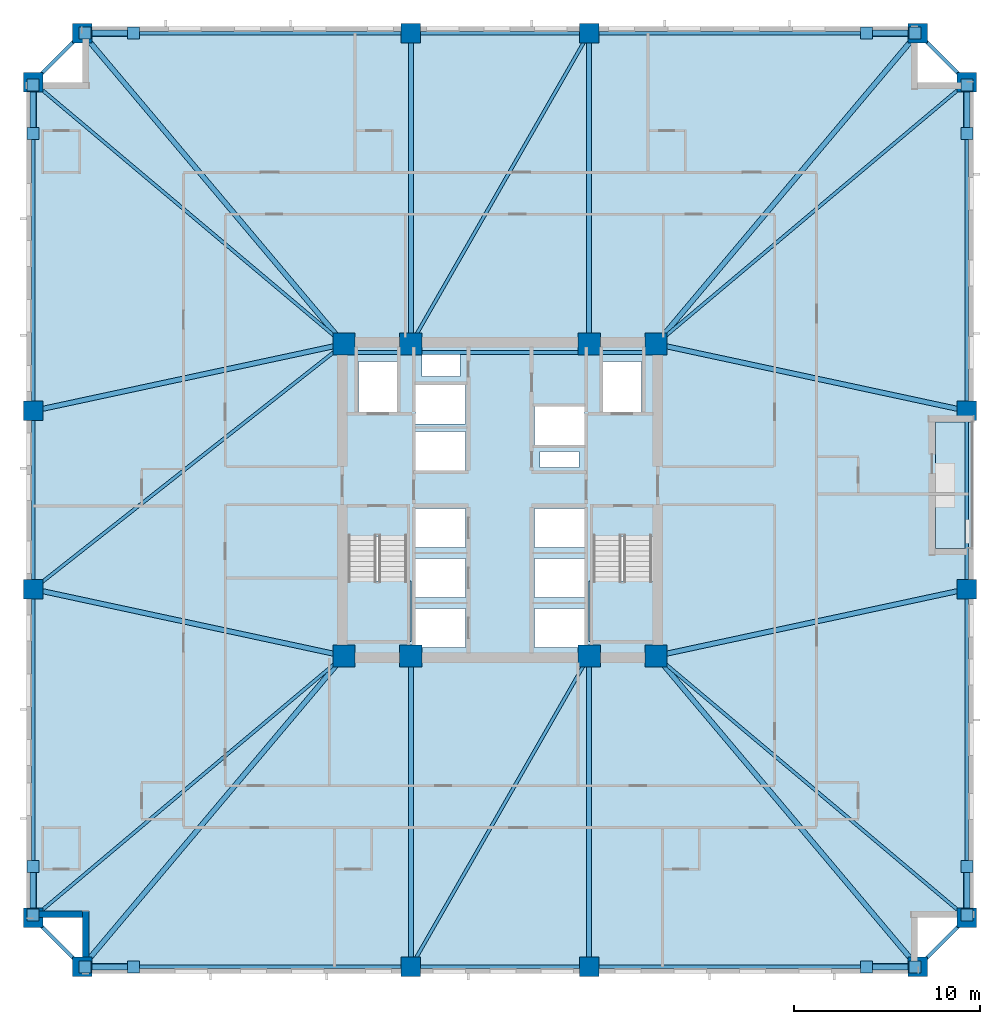
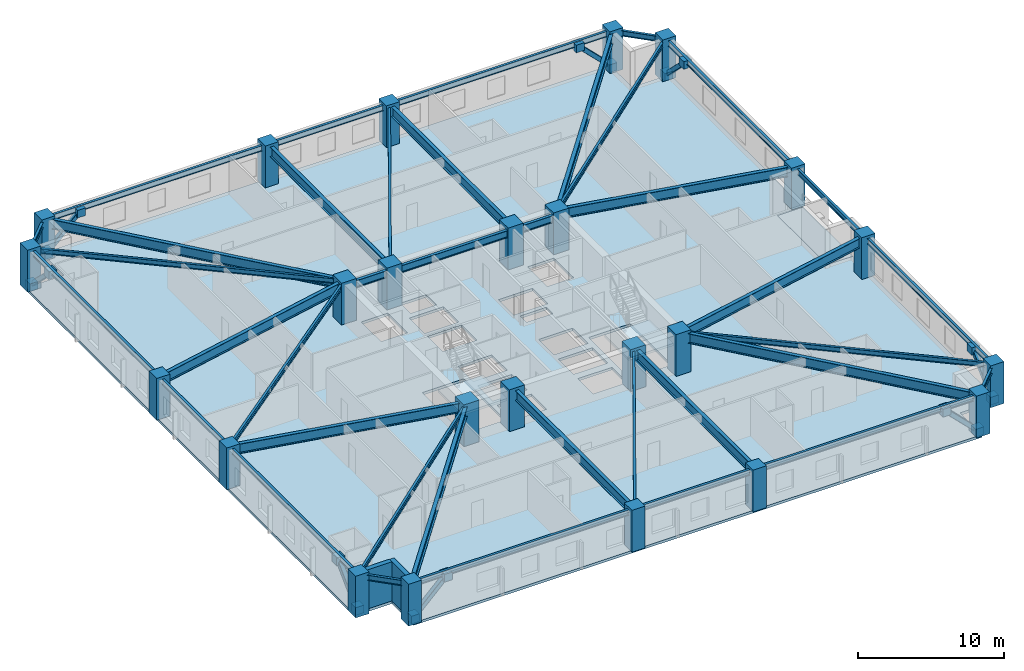
# One storey, part 1 of 11: 38 beams, 24 columns, 16 plates, 8 members, 4 slabs, 2 walls, 2 elements without a shape of their own.
"""IFC4 building model written with IfcOpenShell, lengths in metres."""

from ifc_helpers import new_model, si_unit, direction, frame, frame_2d, origin, origin_2d, place, context, subcontext, project, spatial, polyline, rectangle, hollow_rectangle, i_section, outline, extrude, material, layer, layer_set, material_profile, profile_set, type_object, element, aggregate, save


model = new_model("IFC4")

# Units and contexts
model_context = context("Model", 3, precision=1e-05, world=origin(), true_north=direction((0.0, 1.0)))
body_context = subcontext(model_context, "Body", "Model", "MODEL_VIEW")
ifc_project = project(units=[si_unit("LENGTHUNIT", "METRE"), si_unit("AREAUNIT", "SQUARE_METRE"), si_unit("VOLUMEUNIT", "CUBIC_METRE"), si_unit("PLANEANGLEUNIT", "RADIAN"), si_unit("MASSUNIT", "GRAM", prefix="KILO")], contexts=[model_context])

# Site, building, storey
site_placement = place(None, origin())
site = spatial("IfcSite", under=ifc_project, at=site_placement, CompositionType="ELEMENT")
building_placement = place(site_placement, origin())
building = spatial("IfcBuilding", under=site, at=building_placement, Name="Cairnveth Concourse Tower", CompositionType="ELEMENT")
storey_placement = place(building_placement, frame((0.0, 0.0, 72.5)))
storey = spatial("IfcBuildingStorey", under=building, at=storey_placement, Name="L19", CompositionType="ELEMENT", Elevation=72.5)

# Columns
ifc_material_1 = material(Name="Concrete N80 (80 MPa)", Category="concrete")
ifc_material_profile_1 = material_profile(ifc_material_1, rectangle(XDim=1.199951171875, YDim=1.199951171875, at=origin_2d()), Name="RC-COL-1200x1200")
ifc_profile_set_1 = profile_set([ifc_material_profile_1], Name="Concrete N80 (80 MPa)")
column_type_1 = type_object("IfcColumnType", Name="CORE COLUMN 1200X1200", PredefinedType="COLUMN", material=ifc_profile_set_1)
for number, where, z_axis, x_axis, name in (
    (1, (43.60009765625, 30.60009765625, 0.0), (0.0, 0.0, 1.0), (1.0, 0.0, 0.0), "Column CC1 L19"),
    (2, (47.199951171875, 30.60009765625, 0.0), (0.0, 0.0, 1.0), (1.0, 0.0, 0.0), "Column CC2 L19"),
    (3, (56.800048828125, 30.60009765625, 0.0), (0.0, 0.0, 1.0), (1.0, 0.0, 0.0), "Column CC3 L19"),
    (4, (60.39990234375, 30.60009765625, 0.0), (0.0, 0.0, 1.0), (1.0, 0.0, 0.0), "Column CC4 L19"),
    (5, (43.60009765625, 47.39990234375, 0.0), (0.0, 0.0, 1.0), (1.0, 0.0, 0.0), "Column CC5 L19"),
    (6, (47.199951171875, 47.39990234375, 0.0), (0.0, 0.0, 1.0), (1.0, 0.0, 0.0), "Column CC6 L19"),
    (7, (56.800048828125, 47.39990234375, 0.0), (0.0, 0.0, 1.0), (1.0, 0.0, 0.0), "Column CC7 L19"),
    (8, (60.39990234375, 47.39990234375, 0.0), (0.0, 0.0, 1.0), (1.0, 0.0, 0.0), "Column CC8 L19"),
):
    element("IfcColumn", number, at=place(storey_placement, frame(where, z_axis=z_axis, x_axis=x_axis)), inside=storey, type_object=column_type_1, Name=name, PredefinedType="COLUMN", context=body_context, shape_type="SweptSolid", body=[
        extrude(rectangle(XDim=1.199951171875, YDim=1.199951171875, at=origin_2d()), origin(), (0.0, 0.0, 1.0), 3.5),
    ])
ifc_material_2 = material(Name="Concrete N65 (65 MPa)", Category="concrete")
ifc_material_profile_2 = material_profile(ifc_material_2, rectangle(XDim=1.050048828125, YDim=1.050048828125, at=origin_2d()), Name="RC-COL-1050x1050")
ifc_profile_set_2 = profile_set([ifc_material_profile_2], Name="Concrete N65 (65 MPa)")
column_type_2 = type_object("IfcColumnType", Name="PERIMETER PIER COLUMN 1050X1050", PredefinedType="COLUMN", material=ifc_profile_set_2)
for number, where, z_axis, x_axis, name in (
    (9, (29.5, 13.85009765625, 0.0), (0.0, 0.0, 1.0), (1.0, 0.0, 0.0), "Column P-S1 L19"),
    (10, (47.199951171875, 13.85009765625, 0.0), (0.0, 0.0, 1.0), (1.0, 0.0, 0.0), "Column P-S2 L19"),
    (11, (56.800048828125, 13.85009765625, 0.0), (0.0, 0.0, 1.0), (1.0, 0.0, 0.0), "Column P-S3 L19"),
    (12, (74.5, 13.85009765625, 0.0), (0.0, 0.0, 1.0), (1.0, 0.0, 0.0), "Column P-S4 L19"),
    (13, (77.14990234375, 16.5, 0.0), (0.0, 0.0, 1.0), (0.0, 1.0, 0.0), "Column P-E1 L19"),
    (14, (77.14990234375, 34.199951171875, 0.0), (0.0, 0.0, 1.0), (0.0, 1.0, 0.0), "Column P-E2 L19"),
    (15, (77.14990234375, 43.800048828125, 0.0), (0.0, 0.0, 1.0), (0.0, 1.0, 0.0), "Column P-E3 L19"),
    (16, (77.14990234375, 61.5, 0.0), (0.0, 0.0, 1.0), (0.0, 1.0, 0.0), "Column P-E4 L19"),
    (17, (74.5, 64.14990234375, 0.0), (0.0, 0.0, 1.0), (1.0, 0.0, 0.0), "Column P-N1 L19"),
    (18, (56.800048828125, 64.14990234375, 0.0), (0.0, 0.0, 1.0), (1.0, 0.0, 0.0), "Column P-N2 L19"),
    (19, (47.199951171875, 64.14990234375, 0.0), (0.0, 0.0, 1.0), (1.0, 0.0, 0.0), "Column P-N3 L19"),
    (20, (29.5, 64.14990234375, 0.0), (0.0, 0.0, 1.0), (1.0, 0.0, 0.0), "Column P-N4 L19"),
    (21, (26.85009765625, 61.5, 0.0), (0.0, 0.0, 1.0), (0.0, 1.0, 0.0), "Column P-W1 L19"),
    (22, (26.85009765625, 43.800048828125, 0.0), (0.0, 0.0, 1.0), (0.0, 1.0, 0.0), "Column P-W2 L19"),
    (23, (26.85009765625, 34.199951171875, 0.0), (0.0, 0.0, 1.0), (0.0, 1.0, 0.0), "Column P-W3 L19"),
    (24, (26.85009765625, 16.5, 0.0), (0.0, 0.0, 1.0), (0.0, 1.0, 0.0), "Column P-W4 L19"),
):
    element("IfcColumn", number, at=place(storey_placement, frame(where, z_axis=z_axis, x_axis=x_axis)), inside=storey, type_object=column_type_2, Name=name, PredefinedType="COLUMN", context=body_context, shape_type="SweptSolid", body=[
        extrude(rectangle(XDim=1.050048828125, YDim=1.050048828125, at=origin_2d()), origin(), (0.0, 0.0, 1.0), 3.5),
    ])

# Beams
ifc_material_3 = material(Name="Steel Grade 350", Category="steel")
ifc_material_profile_3 = material_profile(ifc_material_3, i_section(OverallWidth=0.22802734375, OverallDepth=0.60693359375, WebThickness=0.01123046875, FlangeThickness=0.017333984375, FilletRadius=0.013916015625, at=origin_2d()), Name="610UB113")
ifc_profile_set_3 = profile_set([ifc_material_profile_3], Name="Steel Grade 350")
beam_type_1 = type_object("IfcBeamType", Name="CORE TIE BEAM 610UB113", PredefinedType="T_BEAM", material=ifc_profile_set_3)
for number, where, z_axis, x_axis, name in (
    (25, (43.60009765625, 46.949951171875, 2.9765625), (1.0, 0.0, 0.0), (0.0, 1.0, 0.0), "Beam CT-N1 L19"),
    (26, (56.800048828125, 46.949951171875, 2.9765625), (1.0, 0.0, 0.0), (0.0, 1.0, 0.0), "Beam CT-N3 L19"),
):
    element("IfcBeam", number, at=place(storey_placement, frame(where, z_axis=z_axis, x_axis=x_axis)), inside=storey, type_object=beam_type_1, Name=name, PredefinedType="T_BEAM", context=body_context, shape_type="SweptSolid", body=[
        extrude(i_section(OverallWidth=0.22802734375, OverallDepth=0.60693359375, WebThickness=0.01123046875, FlangeThickness=0.017333984375, FilletRadius=0.013916015625, at=origin_2d()), origin(), (0.0, 0.0, 1.0), 3.599853515625),
    ])
beam_1_placement = place(storey_placement, frame((47.199951171875, 46.949951171875, 2.9765625), z_axis=(1.0, 0.0, 0.0), x_axis=(0.0, 1.0, 0.0)))
element("IfcBeam", 27, at=beam_1_placement, inside=storey, type_object=beam_type_1, Name="Beam CT-N2 L19", PredefinedType="T_BEAM", context=body_context, shape_type="SweptSolid", body=[
    extrude(i_section(OverallWidth=0.22802734375, OverallDepth=0.60693359375, WebThickness=0.01123046875, FlangeThickness=0.017333984375, FilletRadius=0.013916015625, at=origin_2d()), origin(), (0.0, 0.0, 1.0), 9.60009765625),
])
ifc_material_profile_4 = material_profile(ifc_material_3, i_section(OverallWidth=0.177978515625, OverallDepth=0.406005859375, WebThickness=0.0078125, FlangeThickness=0.0126953125, FilletRadius=0.010986328125, at=origin_2d()), Name="410UB59.7")
ifc_profile_set_4 = profile_set([ifc_material_profile_4], Name="Steel Grade 350")
beam_type_2 = type_object("IfcBeamType", Name="ZONE 1 FLOOR JOIST 410UB59.7", PredefinedType="JOIST", material=ifc_profile_set_4)
for number, where, z_axis, x_axis, name in (
    (28, (26.85009765625, 16.5, 3.076904296875), (0.765027427674, 0.643997697905, 0.0), (-0.643997697905, 0.765027427674, 0.0), "Beam FJ-CSW2 L19"),
    (29, (77.14990234375, 16.5, 3.076904296875), (-0.765027427674, 0.643997697905, 0.0), (-0.643997697905, -0.765027427674, 0.0), "Beam FJ-CSE2 L19"),
    (30, (77.14990234375, 61.5, 3.076904296875), (-0.765027427674, -0.643997697905, 0.0), (0.643997697905, -0.765027427674, 0.0), "Beam FJ-CNE2 L19"),
    (31, (26.85009765625, 61.5, 3.076904296875), (0.765027427674, -0.643997697905, 0.0), (0.643997697905, 0.765027427674, 0.0), "Beam FJ-CNW2 L19"),
):
    element("IfcBeam", number, at=place(storey_placement, frame(where, z_axis=z_axis, x_axis=x_axis)), inside=storey, type_object=beam_type_2, Name=name, PredefinedType="JOIST", context=body_context, shape_type="SweptSolid", body=[
        extrude(i_section(OverallWidth=0.177978515625, OverallDepth=0.406005859375, WebThickness=0.0078125, FlangeThickness=0.0126953125, FilletRadius=0.010986328125, at=origin_2d()), origin(), (0.0, 0.0, 1.0), 21.89453125),
    ])
for number, where, z_axis, x_axis, name in (
    (32, (47.199951171875, 13.85009765625, 3.076904296875), (0.497257970706, 0.86760273776, 0.0), (-0.86760273776, 0.497257970706, 0.0), "Beam FJ-S-M1 L19"),
    (33, (47.199951171875, 47.39990234375, 3.076904296875), (0.497257970706, 0.86760273776, 0.0), (-0.86760273776, 0.497257970706, 0.0), "Beam FJ-N-M1 L19"),
):
    element("IfcBeam", number, at=place(storey_placement, frame(where, z_axis=z_axis, x_axis=x_axis)), inside=storey, type_object=beam_type_2, Name=name, PredefinedType="JOIST", context=body_context, shape_type="SweptSolid", body=[
        extrude(i_section(OverallWidth=0.177978515625, OverallDepth=0.406005859375, WebThickness=0.0078125, FlangeThickness=0.0126953125, FilletRadius=0.010986328125, at=origin_2d()), origin(), (0.0, 0.0, 1.0), 19.30615234375),
    ])
beam_2_placement = place(storey_placement, frame((26.85009765625, 34.199951171875, 3.076904296875), z_axis=(0.785423705995, 0.618958481694, 0.0), x_axis=(-0.618958481694, 0.785423705995, 0.0)))
element("IfcBeam", 34, at=beam_2_placement, inside=storey, type_object=beam_type_2, Name="Beam FJ-W-M1 L19", PredefinedType="JOIST", context=body_context, shape_type="SweptSolid", body=[
    extrude(i_section(OverallWidth=0.177978515625, OverallDepth=0.406005859375, WebThickness=0.0078125, FlangeThickness=0.0126953125, FilletRadius=0.010986328125, at=origin_2d()), origin(), (0.0, 0.0, 1.0), 21.326171875),
])

# Members
ifc_material_4 = material(Name="Steel C350L0 (350 MPa)", Category="steel")
ifc_material_profile_5 = material_profile(ifc_material_4, hollow_rectangle(XDim=0.35009765625, YDim=0.35009765625, WallThickness=0.01611328125, InnerFilletRadius=0.01611328125, OuterFilletRadius=0.031982421875, at=origin_2d()), Name="350x350x16.0SHS")
ifc_profile_set_5 = profile_set([ifc_material_profile_5], Name="Steel C350L0 (350 MPa)")
member_type = type_object("IfcMemberType", Name="ZONE 1 PIER BRACE 350X350X16SHS", PredefinedType="BRACE", material=ifc_profile_set_5)
for number, where, z_axis, x_axis, name in (
    (35, (29.64990234375, 13.85009765625, 0.25), (0.709834195787, 0.0, 0.704368805735), (0.0, 1.0, 0.0), "Structural Brace PB-S1 L19"),
    (36, (74.35009765625, 13.85009765625, 0.25), (-0.709834195787, 0.0, 0.704368805735), (0.0, -1.0, 0.0), "Structural Brace PB-S2 L19"),
    (37, (29.64990234375, 64.14990234375, 0.25), (0.709834195787, 0.0, 0.704368805735), (0.0, 1.0, 0.0), "Structural Brace PB-N1 L19"),
    (38, (74.35009765625, 64.14990234375, 0.25), (-0.709834195787, 0.0, 0.704368805735), (0.0, -1.0, 0.0), "Structural Brace PB-N2 L19"),
    (39, (26.85009765625, 16.64990234375, 0.25), (0.0, 0.709834195787, 0.704368805735), (-1.0, 0.0, 0.0), "Structural Brace PB-W1 L19"),
    (40, (26.85009765625, 61.35009765625, 0.25), (0.0, -0.709834195787, 0.704368805735), (1.0, 0.0, 0.0), "Structural Brace PB-W2 L19"),
    (41, (77.14990234375, 16.64990234375, 0.25), (0.0, 0.709834195787, 0.704368805735), (-1.0, 0.0, 0.0), "Structural Brace PB-E1 L19"),
    (42, (77.14990234375, 61.35009765625, 0.25), (0.0, -0.709834195787, 0.704368805735), (1.0, 0.0, 0.0), "Structural Brace PB-E2 L19"),
):
    element("IfcMember", number, at=place(storey_placement, frame(where, z_axis=z_axis, x_axis=x_axis)), inside=storey, type_object=member_type, Name=name, PredefinedType="BRACE", context=body_context, shape_type="SweptSolid", body=[
        extrude(hollow_rectangle(XDim=0.35009765625, YDim=0.35009765625, WallThickness=0.01611328125, InnerFilletRadius=0.01611328125, OuterFilletRadius=0.031982421875, at=origin_2d()), origin(), (0.0, 0.0, 1.0), 3.6630859375),
    ])

# Beams
ifc_material_profile_6 = material_profile(ifc_material_3, i_section(OverallWidth=0.27490234375, OverallDepth=0.81591796875, WebThickness=0.011962890625, FlangeThickness=0.028076171875, at=origin_2d()), Name="800WB192")
ifc_profile_set_6 = profile_set([ifc_material_profile_6], Name="Steel Grade 350")
beam_type_3 = type_object("IfcBeamType", Name="ZONE 1 RADIAL GIRDER 800WB192", PredefinedType="BEAM", material=ifc_profile_set_6)
for number, where, z_axis, x_axis, name in (
    (43, (47.199951171875, 13.85009765625, 2.8720703125), (0.0, 1.0, 0.0), (-1.0, 0.0, 0.0), "Beam RG-S1 L19"),
    (44, (56.800048828125, 13.85009765625, 2.8720703125), (0.0, 1.0, 0.0), (-1.0, 0.0, 0.0), "Beam RG-S2 L19"),
    (45, (47.199951171875, 47.39990234375, 2.8720703125), (0.0, 1.0, 0.0), (-1.0, 0.0, 0.0), "Beam RG-N1 L19"),
    (46, (56.800048828125, 47.39990234375, 2.8720703125), (0.0, 1.0, 0.0), (-1.0, 0.0, 0.0), "Beam RG-N2 L19"),
):
    element("IfcBeam", number, at=place(storey_placement, frame(where, z_axis=z_axis, x_axis=x_axis)), inside=storey, type_object=beam_type_3, Name=name, PredefinedType="BEAM", context=body_context, shape_type="SweptSolid", body=[
        extrude(i_section(OverallWidth=0.27490234375, OverallDepth=0.81591796875, WebThickness=0.011962890625, FlangeThickness=0.028076171875, at=origin_2d()), origin(), (0.0, 0.0, 1.0), 16.75),
    ])
for number, where, z_axis, x_axis, name in (
    (47, (26.85009765625, 34.199951171875, 2.8720703125), (0.977675861524, -0.210118799239, 0.0), (0.210118799239, 0.977675861524, 0.0), "Beam RG-W1 L19"),
    (48, (26.85009765625, 43.800048828125, 2.8720703125), (0.977675861524, 0.210118799239, 0.0), (-0.210118799239, 0.977675861524, 0.0), "Beam RG-W2 L19"),
    (49, (60.39990234375, 30.60009765625, 2.8720703125), (0.977675861524, 0.210118799239, 0.0), (-0.210118799239, 0.977675861524, 0.0), "Beam RG-E1 L19"),
    (50, (60.39990234375, 47.39990234375, 2.8720703125), (0.977675861524, -0.210118799239, 0.0), (0.210118799239, 0.977675861524, 0.0), "Beam RG-E2 L19"),
):
    element("IfcBeam", number, at=place(storey_placement, frame(where, z_axis=z_axis, x_axis=x_axis)), inside=storey, type_object=beam_type_3, Name=name, PredefinedType="BEAM", context=body_context, shape_type="SweptSolid", body=[
        extrude(i_section(OverallWidth=0.27490234375, OverallDepth=0.81591796875, WebThickness=0.011962890625, FlangeThickness=0.028076171875, at=origin_2d()), origin(), (0.0, 0.0, 1.0), 17.132568359375),
    ])
for number, where, z_axis, x_axis, name in (
    (51, (29.5, 13.85009765625, 2.8720703125), (0.643997697905, 0.765027427674, 0.0), (-0.765027427674, 0.643997697905, 0.0), "Beam RG-CSW L19"),
    (52, (74.5, 13.85009765625, 2.8720703125), (-0.643997697905, 0.765027427674, 0.0), (-0.765027427674, -0.643997697905, 0.0), "Beam RG-CSE L19"),
    (53, (74.5, 64.14990234375, 2.8720703125), (-0.643997697905, -0.765027427674, 0.0), (0.765027427674, -0.643997697905, 0.0), "Beam RG-CNE L19"),
    (54, (29.5, 64.14990234375, 2.8720703125), (0.643997697905, -0.765027427674, 0.0), (0.765027427674, 0.643997697905, 0.0), "Beam RG-CNW L19"),
):
    element("IfcBeam", number, at=place(storey_placement, frame(where, z_axis=z_axis, x_axis=x_axis)), inside=storey, type_object=beam_type_3, Name=name, PredefinedType="BEAM", context=body_context, shape_type="SweptSolid", body=[
        extrude(i_section(OverallWidth=0.27490234375, OverallDepth=0.81591796875, WebThickness=0.011962890625, FlangeThickness=0.028076171875, at=origin_2d()), origin(), (0.0, 0.0, 1.0), 21.89453125),
    ])
ifc_material_profile_7 = material_profile(ifc_material_3, i_section(OverallWidth=0.19091796875, OverallDepth=0.4599609375, WebThickness=0.010009765625, FlangeThickness=0.01611328125, FilletRadius=0.010986328125, at=origin_2d()), Name="460UB82.1")
ifc_profile_set_7 = profile_set([ifc_material_profile_7], Name="Steel Grade 350")
beam_type_4 = type_object("IfcBeamType", Name="ZONE 1 SPANDREL BEAM 460UB82.1", PredefinedType="SPANDREL", material=ifc_profile_set_7)
beam_3_placement = place(storey_placement, frame((29.5, 13.85009765625, 3.050048828125), z_axis=(1.0, 0.0, 0.0), x_axis=(0.0, 1.0, 0.0)))
element("IfcBeam", 55, at=beam_3_placement, inside=storey, type_object=beam_type_4, Name="Beam SP-S1 L19", PredefinedType="SPANDREL", context=body_context, shape_type="SweptSolid", body=[
    extrude(i_section(OverallWidth=0.19091796875, OverallDepth=0.4599609375, WebThickness=0.010009765625, FlangeThickness=0.01611328125, FilletRadius=0.010986328125, at=origin_2d()), origin(), (0.0, 0.0, 1.0), 17.699951171875),
])
beam_4_placement = place(storey_placement, frame((47.199951171875, 13.85009765625, 3.050048828125), z_axis=(1.0, 0.0, 0.0), x_axis=(0.0, 1.0, 0.0)))
element("IfcBeam", 56, at=beam_4_placement, inside=storey, type_object=beam_type_4, Name="Beam SP-S2 L19", PredefinedType="SPANDREL", context=body_context, shape_type="SweptSolid", body=[
    extrude(i_section(OverallWidth=0.19091796875, OverallDepth=0.4599609375, WebThickness=0.010009765625, FlangeThickness=0.01611328125, FilletRadius=0.010986328125, at=origin_2d()), origin(), (0.0, 0.0, 1.0), 9.60009765625),
])
for number, where, z_axis, x_axis, name in (
    (57, (56.800048828125, 13.85009765625, 3.050048828125), (1.0, 0.0, 0.0), (0.0, 1.0, 0.0), "Beam SP-S3 L19"),
    (58, (29.5, 64.14990234375, 3.050048828125), (1.0, 0.0, 0.0), (0.0, 1.0, 0.0), "Beam SP-N1 L19"),
):
    element("IfcBeam", number, at=place(storey_placement, frame(where, z_axis=z_axis, x_axis=x_axis)), inside=storey, type_object=beam_type_4, Name=name, PredefinedType="SPANDREL", context=body_context, shape_type="SweptSolid", body=[
        extrude(i_section(OverallWidth=0.19091796875, OverallDepth=0.4599609375, WebThickness=0.010009765625, FlangeThickness=0.01611328125, FilletRadius=0.010986328125, at=origin_2d()), origin(), (0.0, 0.0, 1.0), 17.699951171875),
    ])
beam_5_placement = place(storey_placement, frame((47.199951171875, 64.14990234375, 3.050048828125), z_axis=(1.0, 0.0, 0.0), x_axis=(0.0, 1.0, 0.0)))
element("IfcBeam", 59, at=beam_5_placement, inside=storey, type_object=beam_type_4, Name="Beam SP-N2 L19", PredefinedType="SPANDREL", context=body_context, shape_type="SweptSolid", body=[
    extrude(i_section(OverallWidth=0.19091796875, OverallDepth=0.4599609375, WebThickness=0.010009765625, FlangeThickness=0.01611328125, FilletRadius=0.010986328125, at=origin_2d()), origin(), (0.0, 0.0, 1.0), 9.60009765625),
])
for number, where, z_axis, x_axis, name in (
    (60, (56.800048828125, 64.14990234375, 3.050048828125), (1.0, 0.0, 0.0), (0.0, 1.0, 0.0), "Beam SP-N3 L19"),
    (61, (26.85009765625, 16.5, 3.050048828125), (0.0, 1.0, 0.0), (-1.0, 0.0, 0.0), "Beam SP-W1 L19"),
):
    element("IfcBeam", number, at=place(storey_placement, frame(where, z_axis=z_axis, x_axis=x_axis)), inside=storey, type_object=beam_type_4, Name=name, PredefinedType="SPANDREL", context=body_context, shape_type="SweptSolid", body=[
        extrude(i_section(OverallWidth=0.19091796875, OverallDepth=0.4599609375, WebThickness=0.010009765625, FlangeThickness=0.01611328125, FilletRadius=0.010986328125, at=origin_2d()), origin(), (0.0, 0.0, 1.0), 17.699951171875),
    ])
beam_6_placement = place(storey_placement, frame((26.85009765625, 34.199951171875, 3.050048828125), z_axis=(0.0, 1.0, 0.0), x_axis=(-1.0, 0.0, 0.0)))
element("IfcBeam", 62, at=beam_6_placement, inside=storey, type_object=beam_type_4, Name="Beam SP-W2 L19", PredefinedType="SPANDREL", context=body_context, shape_type="SweptSolid", body=[
    extrude(i_section(OverallWidth=0.19091796875, OverallDepth=0.4599609375, WebThickness=0.010009765625, FlangeThickness=0.01611328125, FilletRadius=0.010986328125, at=origin_2d()), origin(), (0.0, 0.0, 1.0), 9.60009765625),
])
for number, where, z_axis, x_axis, name in (
    (63, (26.85009765625, 43.800048828125, 3.050048828125), (0.0, 1.0, 0.0), (-1.0, 0.0, 0.0), "Beam SP-W3 L19"),
    (64, (77.14990234375, 16.5, 3.050048828125), (0.0, 1.0, 0.0), (-1.0, 0.0, 0.0), "Beam SP-E1 L19"),
):
    element("IfcBeam", number, at=place(storey_placement, frame(where, z_axis=z_axis, x_axis=x_axis)), inside=storey, type_object=beam_type_4, Name=name, PredefinedType="SPANDREL", context=body_context, shape_type="SweptSolid", body=[
        extrude(i_section(OverallWidth=0.19091796875, OverallDepth=0.4599609375, WebThickness=0.010009765625, FlangeThickness=0.01611328125, FilletRadius=0.010986328125, at=origin_2d()), origin(), (0.0, 0.0, 1.0), 17.699951171875),
    ])
beam_7_placement = place(storey_placement, frame((77.14990234375, 34.199951171875, 3.050048828125), z_axis=(0.0, 1.0, 0.0), x_axis=(-1.0, 0.0, 0.0)))
element("IfcBeam", 65, at=beam_7_placement, inside=storey, type_object=beam_type_4, Name="Beam SP-E2 L19", PredefinedType="SPANDREL", context=body_context, shape_type="SweptSolid", body=[
    extrude(i_section(OverallWidth=0.19091796875, OverallDepth=0.4599609375, WebThickness=0.010009765625, FlangeThickness=0.01611328125, FilletRadius=0.010986328125, at=origin_2d()), origin(), (0.0, 0.0, 1.0), 9.60009765625),
])
beam_8_placement = place(storey_placement, frame((77.14990234375, 43.800048828125, 3.050048828125), z_axis=(0.0, 1.0, 0.0), x_axis=(-1.0, 0.0, 0.0)))
element("IfcBeam", 66, at=beam_8_placement, inside=storey, type_object=beam_type_4, Name="Beam SP-E3 L19", PredefinedType="SPANDREL", context=body_context, shape_type="SweptSolid", body=[
    extrude(i_section(OverallWidth=0.19091796875, OverallDepth=0.4599609375, WebThickness=0.010009765625, FlangeThickness=0.01611328125, FilletRadius=0.010986328125, at=origin_2d()), origin(), (0.0, 0.0, 1.0), 17.699951171875),
])
for number, where, z_axis, x_axis, name in (
    (67, (26.85009765625, 16.5, 3.050048828125), (0.707106781187, -0.707106781187, 0.0), (0.707106781187, 0.707106781187, 0.0), "Beam SP-SW L19"),
    (68, (74.5, 13.85009765625, 3.050048828125), (0.707106781187, 0.707106781187, 0.0), (-0.707106781187, 0.707106781187, 0.0), "Beam SP-SE L19"),
    (69, (74.5, 64.14990234375, 3.050048828125), (0.707106781187, -0.707106781187, 0.0), (0.707106781187, 0.707106781187, 0.0), "Beam SP-NE L19"),
    (70, (26.85009765625, 61.5, 3.050048828125), (0.707106781187, 0.707106781187, 0.0), (-0.707106781187, 0.707106781187, 0.0), "Beam SP-NW L19"),
):
    element("IfcBeam", number, at=place(storey_placement, frame(where, z_axis=z_axis, x_axis=x_axis)), inside=storey, type_object=beam_type_4, Name=name, PredefinedType="SPANDREL", context=body_context, shape_type="SweptSolid", body=[
        extrude(i_section(OverallWidth=0.19091796875, OverallDepth=0.4599609375, WebThickness=0.010009765625, FlangeThickness=0.01611328125, FilletRadius=0.010986328125, at=origin_2d()), origin(), (0.0, 0.0, 1.0), 3.74755859375),
    ])

# Slab
ifc_material_5 = material(Name="Concrete N50 (50 MPa)", Category="concrete")
ifc_layer_1 = layer(ifc_material_5, 0.219970703125)
ifc_layer_set_1 = layer_set([ifc_layer_1], Name="Concrete N50 (50 MPa)")
slab_type_1 = type_object("IfcSlabType", Name="LOWER TOWER COMPOSITE SLAB 220", PredefinedType="FLOOR", material=ifc_layer_set_1)
slab_1_placement = place(storey_placement, frame((0.0, 0.0, -0.219970703125)))
element("IfcSlab", 71, at=slab_1_placement, inside=storey, type_object=slab_type_1, Name="Tower Floor Slab L19", PredefinedType="FLOOR", context=body_context, shape_type="SweptSolid", body=[
    extrude(outline(polyline([(77.5, 36.39990234375), (75.449951171875, 36.39990234375), (75.449951171875, 43.199951171875), (77.5, 43.199951171875), (77.5, 61.5), (74.5, 61.5), (74.5, 64.5), (29.5, 64.5), (29.5, 61.5), (26.5, 61.5), (26.5, 16.5), (29.5, 16.5), (29.5, 13.5), (74.5, 13.5), (74.5, 16.5), (77.5, 16.5), (77.5, 36.39990234375)]), holes=[polyline([(43.760009765625, 31.360107421875), (47.06005859375, 31.360107421875), (47.06005859375, 37.0400390625), (43.760009765625, 37.0400390625), (43.760009765625, 31.360107421875)]), polyline([(56.93994140625, 31.360107421875), (60.239990234375, 31.360107421875), (60.239990234375, 37.0400390625), (56.93994140625, 37.0400390625), (56.93994140625, 31.360107421875)]), polyline([(44.3701171875, 43.75), (46.469970703125, 43.75), (46.469970703125, 46.449951171875), (44.3701171875, 46.449951171875), (44.3701171875, 43.75)]), polyline([(57.530029296875, 43.75), (59.6298828125, 43.75), (59.6298828125, 46.449951171875), (57.530029296875, 46.449951171875), (57.530029296875, 43.75)]), polyline([(47.449951171875, 31.050048828125), (50.14990234375, 31.050048828125), (50.14990234375, 33.14990234375), (47.449951171875, 33.14990234375), (47.449951171875, 31.050048828125)]), polyline([(47.449951171875, 33.75), (50.14990234375, 33.75), (50.14990234375, 35.85009765625), (47.449951171875, 35.85009765625), (47.449951171875, 33.75)]), polyline([(47.449951171875, 36.449951171875), (50.14990234375, 36.449951171875), (50.14990234375, 38.550048828125), (47.449951171875, 38.550048828125), (47.449951171875, 36.449951171875)]), polyline([(53.85009765625, 31.050048828125), (56.550048828125, 31.050048828125), (56.550048828125, 33.14990234375), (53.85009765625, 33.14990234375), (53.85009765625, 31.050048828125)]), polyline([(53.85009765625, 33.75), (56.550048828125, 33.75), (56.550048828125, 35.85009765625), (53.85009765625, 35.85009765625), (53.85009765625, 33.75)]), polyline([(53.85009765625, 36.449951171875), (56.550048828125, 36.449951171875), (56.550048828125, 38.550048828125), (53.85009765625, 38.550048828125), (53.85009765625, 36.449951171875)]), polyline([(47.449951171875, 40.60009765625), (50.14990234375, 40.60009765625), (50.14990234375, 42.699951171875), (47.449951171875, 42.699951171875), (47.449951171875, 40.60009765625)]), polyline([(47.449951171875, 43.10009765625), (50.14990234375, 43.10009765625), (50.14990234375, 45.199951171875), (47.449951171875, 45.199951171875), (47.449951171875, 43.10009765625)]), polyline([(53.85009765625, 41.949951171875), (56.550048828125, 41.949951171875), (56.550048828125, 44.050048828125), (53.85009765625, 44.050048828125), (53.85009765625, 41.949951171875)]), polyline([(47.800048828125, 45.64990234375), (49.85009765625, 45.64990234375), (49.85009765625, 47.050048828125), (47.800048828125, 47.050048828125), (47.800048828125, 45.64990234375)]), polyline([(54.14990234375, 40.75), (56.25, 40.75), (56.25, 41.6201171875), (54.14990234375, 41.6201171875), (54.14990234375, 40.75)])]), origin(), (0.0, 0.0, 1.0), 0.219970703125),
])

# Plates
ifc_layer_2 = layer(ifc_material_3, 0.031982421875)
ifc_layer_set_2 = layer_set([ifc_layer_2], Name="Steel Grade 350")
plate_type = type_object("IfcPlateType", Name="PERIMETER BRACE GUSSET PLATE 32", PredefinedType="USERDEFINED", material=ifc_layer_set_2)
for number, where, z_axis, x_axis, name in (
    (72, (29.64990234375, 13.85009765625, -0.06982421875), (0.0, 0.0, 1.0), (1.0, 0.0, 0.0), "Structural Node Plate 0285 L19"),
    (73, (32.25, 13.85009765625, 2.51025390625), (0.0, 0.0, 1.0), (1.0, 0.0, 0.0), "Structural Node Plate 0286 L19"),
    (74, (74.35009765625, 13.85009765625, -0.06982421875), (0.0, 0.0, 1.0), (1.0, 0.0, 0.0), "Structural Node Plate 0287 L19"),
    (75, (71.75, 13.85009765625, 2.51025390625), (0.0, 0.0, 1.0), (1.0, 0.0, 0.0), "Structural Node Plate 0288 L19"),
    (76, (29.64990234375, 64.14990234375, -0.06982421875), (0.0, 0.0, 1.0), (1.0, 0.0, 0.0), "Structural Node Plate 0289 L19"),
    (77, (32.25, 64.14990234375, 2.51025390625), (0.0, 0.0, 1.0), (1.0, 0.0, 0.0), "Structural Node Plate 0290 L19"),
    (78, (74.35009765625, 64.14990234375, -0.06982421875), (0.0, 0.0, 1.0), (1.0, 0.0, 0.0), "Structural Node Plate 0291 L19"),
    (79, (71.75, 64.14990234375, 2.51025390625), (0.0, 0.0, 1.0), (1.0, 0.0, 0.0), "Structural Node Plate 0292 L19"),
    (80, (26.85009765625, 16.64990234375, -0.06982421875), (0.0, 0.0, 1.0), (1.0, 0.0, 0.0), "Structural Node Plate 0293 L19"),
    (81, (26.85009765625, 19.25, 2.51025390625), (0.0, 0.0, 1.0), (1.0, 0.0, 0.0), "Structural Node Plate 0294 L19"),
    (82, (26.85009765625, 61.35009765625, -0.06982421875), (0.0, 0.0, 1.0), (1.0, 0.0, 0.0), "Structural Node Plate 0295 L19"),
    (83, (26.85009765625, 58.75, 2.51025390625), (0.0, 0.0, 1.0), (1.0, 0.0, 0.0), "Structural Node Plate 0296 L19"),
    (84, (77.14990234375, 16.64990234375, -0.06982421875), (0.0, 0.0, 1.0), (1.0, 0.0, 0.0), "Structural Node Plate 0297 L19"),
    (85, (77.14990234375, 19.25, 2.51025390625), (0.0, 0.0, 1.0), (1.0, 0.0, 0.0), "Structural Node Plate 0298 L19"),
    (86, (77.14990234375, 61.35009765625, -0.06982421875), (0.0, 0.0, 1.0), (1.0, 0.0, 0.0), "Structural Node Plate 0299 L19"),
    (87, (77.14990234375, 58.75, 2.51025390625), (0.0, 0.0, 1.0), (1.0, 0.0, 0.0), "Structural Node Plate 0300 L19"),
):
    element("IfcPlate", number, at=place(storey_placement, frame(where, z_axis=z_axis, x_axis=x_axis)), inside=storey, type_object=plate_type, Name=name, ObjectType="GUSSET PLATE", PredefinedType="USERDEFINED", context=body_context, shape_type="SweptSolid", body=[
        extrude(rectangle(XDim=0.639892578125, YDim=0.639892578125, at=origin_2d()), origin(), (0.0, 0.0, 1.0), 0.639892578125),
    ])

# Slab
ifc_layer_3 = layer(ifc_material_5, 0.18994140625)
ifc_layer_set_3 = layer_set([ifc_layer_3], Name="Concrete N50 (50 MPa)")
slab_type_2 = type_object("IfcSlabType", Name="SPIRAL OUTDOOR TERRACE SLAB 190", PredefinedType="FLOOR", material=ifc_layer_set_3)
slab_2_placement = place(storey_placement, frame((0.0, 0.0, -0.18994140625)))
element("IfcSlab", 88, at=slab_2_placement, inside=storey, type_object=slab_type_2, Name="Spiral Terrace Slab L19", PredefinedType="FLOOR", context=body_context, shape_type="SweptSolid", body=[
    extrude(outline(polyline([(75.449951171875, 36.39990234375), (77.5, 36.39990234375), (77.5, 43.199951171875), (75.449951171875, 43.199951171875), (75.449951171875, 36.39990234375)])), origin(), (0.0, 0.0, 1.0), 0.18994140625),
])

# Stair, slab
ifc_material_6 = material(Name="Precast concrete N50 (50 MPa)", Category="concrete")
stair_type = type_object("IfcStairType", Name="CORE DOG-LEG FIRE STAIR 1500", PredefinedType="HALF_TURN_STAIR", material=ifc_material_6)
stair_1_placement = place(storey_placement, origin())
stair_1 = element("IfcStair", 89, at=stair_1_placement, inside=storey, type_object=stair_type, Name="L19 Fire-Isolated Stair ST-1", PredefinedType="HALF_TURN_STAIR")
ifc_layer_4 = layer(ifc_material_5, 0.199951171875)
ifc_layer_set_4 = layer_set([ifc_layer_4], Name="Concrete N50 (50 MPa)")
slab_type_3 = type_object("IfcSlabType", Name="STAIR HALF LANDING SLAB 200", PredefinedType="LANDING", material=ifc_layer_set_4)
slab_3_placement = place(storey_placement, frame((0.0, 0.0, 1.550048828125)))
slab_3 = element("IfcSlab", 90, at=slab_3_placement, type_object=slab_type_3, Name="ST-1 landing 1", PredefinedType="LANDING", context=body_context, shape_type="SweptSolid", body=[
    extrude(outline(polyline([(43.6201171875, 34.639892578125), (43.6201171875, 31.3701171875), (47.199951171875, 31.3701171875), (47.199951171875, 34.639892578125), (43.6201171875, 34.639892578125)])), origin(), (0.0, 0.0, 1.0), 0.199951171875),
])
aggregate(stair_1, [slab_3])

stair_2_placement = place(storey_placement, origin())
stair_2 = element("IfcStair", 91, at=stair_2_placement, inside=storey, type_object=stair_type, Name="L19 Fire-Isolated Stair ST-2", PredefinedType="HALF_TURN_STAIR")
slab_4_placement = place(storey_placement, frame((0.0, 0.0, 1.550048828125)))
slab_4 = element("IfcSlab", 92, at=slab_4_placement, type_object=slab_type_3, Name="ST-2 landing 1", PredefinedType="LANDING", context=body_context, shape_type="SweptSolid", body=[
    extrude(outline(polyline([(56.800048828125, 34.639892578125), (56.800048828125, 31.3701171875), (60.3798828125, 31.3701171875), (60.3798828125, 34.639892578125), (56.800048828125, 34.639892578125)])), origin(), (0.0, 0.0, 1.0), 0.199951171875),
])
aggregate(stair_2, [slab_4])

# Walls
ifc_material_7 = material(Name="Hawthorn Red-Ochre Fired Clay Brick Masonry", Category="masonry")
ifc_layer_5 = layer(ifc_material_7, 0.360107421875)
ifc_layer_set_5 = layer_set([ifc_layer_5], Name="Hawthorn Red-Ochre Fired Clay Brick Masonry")
wall_type = type_object("IfcWallType", Name="ZONE 1 BRICK PIER SPANDREL WALL 360", PredefinedType="SOLIDWALL", material=ifc_layer_set_5)
wall_1_placement = place(storey_placement, frame((29.679931640625, 13.5, 0.0), z_axis=(0.0, 0.0, 1.0), x_axis=(0.0, 1.0, 0.0)))
element("IfcWall", 93, at=wall_1_placement, inside=storey, type_object=wall_type, Name="Exterior Wall EW-L19-S04", PredefinedType="SOLIDWALL", context=body_context, shape_type="SweptSolid", body=[
    extrude(rectangle(XDim=3.360107421875, YDim=0.360107421875, at=frame_2d((1.68017578125, 0.0))), origin(), (0.0, 0.0, 1.0), 3.280029296875),
])
wall_2_placement = place(storey_placement, frame((29.52197265625, 16.679931640625, 0.0), z_axis=(0.0, 0.0, 1.0), x_axis=(-1.0, 0.0, 0.0)))
element("IfcWall", 94, at=wall_2_placement, inside=storey, type_object=wall_type, Name="Exterior Wall EW-L19-S05", PredefinedType="SOLIDWALL", context=body_context, shape_type="SweptSolid", body=[
    extrude(rectangle(XDim=2.68408203125, YDim=0.360107421875, at=frame_2d((1.342041015625, 0.0))), origin(), (0.0, 0.0, 1.0), 3.280029296875),
])

save(model, "model.ifc")
